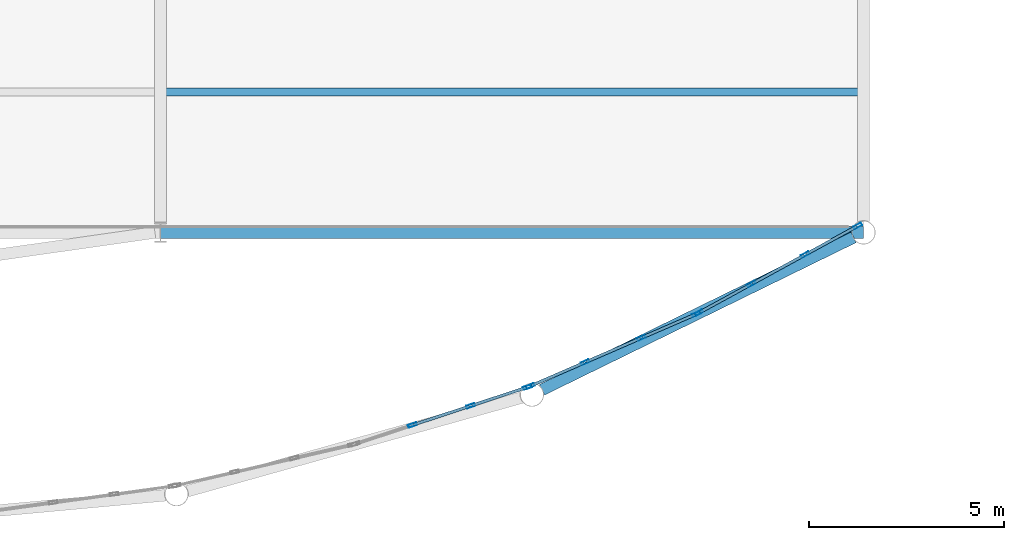
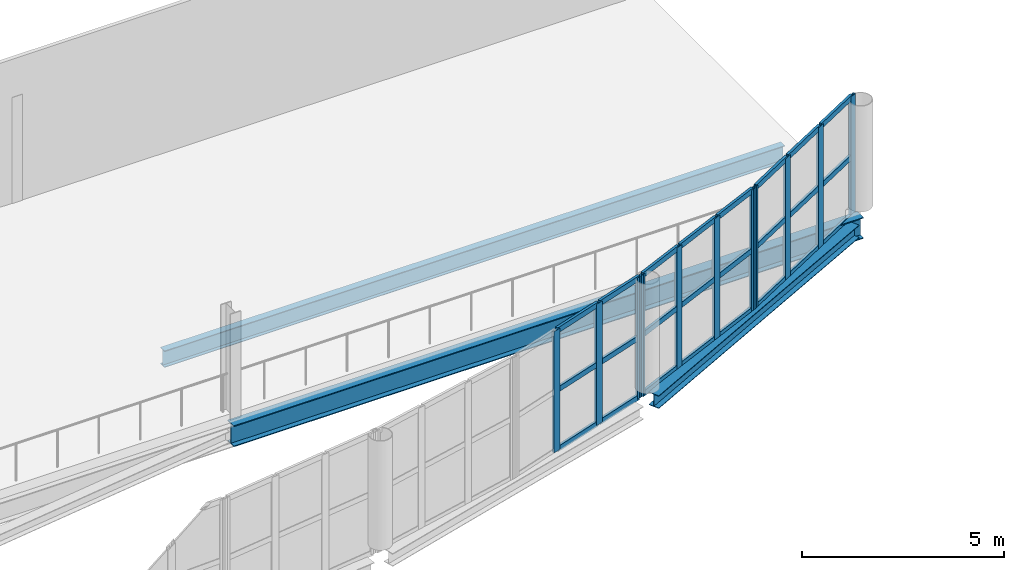
# One storey, part 33 of 134: 35 members, 3 beams, 3 elements without a shape of their own.
"""IFC4 building model written with IfcOpenShell, lengths in metres."""

from ifc_helpers import new_model, si_unit, direction, frame, origin, origin_2d, place, context, subcontext, project, spatial, hollow_rectangle, i_section, extrude, material, layer, layer_set, material_profile, profile_set, type_object, element, aggregate, save


model = new_model("IFC4")

# Units and contexts
model_context = context("Model", 3, precision=1e-05, world=origin(), true_north=direction((0.0, 1.0)))
body_context = subcontext(model_context, "Body", "Model", "MODEL_VIEW")
ifc_project = project(units=[si_unit("LENGTHUNIT", "METRE"), si_unit("AREAUNIT", "SQUARE_METRE"), si_unit("VOLUMEUNIT", "CUBIC_METRE"), si_unit("PLANEANGLEUNIT", "RADIAN"), si_unit("MASSUNIT", "GRAM", prefix="KILO")], contexts=[model_context])

# Site, building, storey
site_placement = place(None, origin())
site = spatial("IfcSite", under=ifc_project, at=site_placement, CompositionType="ELEMENT")
building_placement = place(site_placement, origin())
building = spatial("IfcBuilding", under=site, at=building_placement, Name="Tamarisk Ironworks Central Station", CompositionType="ELEMENT")
storey_placement = place(building_placement, frame((0.0, 0.0, 12.60009765625)))
storey = spatial("IfcBuildingStorey", under=building, at=storey_placement, Name="L02", CompositionType="ELEMENT", Elevation=12.60009765625)

# Beams
ifc_material_1 = material(Name="Structural steel S355J2", Category="steel")
ifc_material_profile_1 = material_profile(ifc_material_1, i_section(OverallWidth=0.199951171875, OverallDepth=0.5, WebThickness=0.01025390625, FlangeThickness=0.01611328125, at=origin_2d()), Name="IPE 500")
ifc_profile_set_1 = profile_set([ifc_material_profile_1], Name="Structural steel S355J2")
beam_type_1 = type_object("IfcBeamType", Name="BM-B02", PredefinedType="BEAM", material=ifc_profile_set_1)
beam_1_placement = place(storey_placement, frame((90.135009765625, 14.39990234375, -0.530029296875), z_axis=(1.0, 0.0, 0.0), x_axis=(0.0, 1.0, 0.0)))
element("IfcBeam", 1, at=beam_1_placement, inside=storey, type_object=beam_type_1, Name="L02 secondary composite beam 0125", PredefinedType="BEAM", context=body_context, shape_type="SweptSolid", body=[
    extrude(i_section(OverallWidth=0.199951171875, OverallDepth=0.5, WebThickness=0.01025390625, FlangeThickness=0.01611328125, at=origin_2d()), origin(), (0.0, 0.0, 1.0), 17.72998046875),
])
ifc_material_profile_2 = material_profile(ifc_material_1, i_section(OverallWidth=0.300048828125, OverallDepth=0.639892578125, WebThickness=0.013427734375, FlangeThickness=0.02587890625, at=origin_2d()), Name="HEA 650")
ifc_profile_set_2 = profile_set([ifc_material_profile_2], Name="Structural steel S355J2")
beam_type_2 = type_object("IfcBeamType", Name="BM-G02", PredefinedType="BEAM", material=ifc_profile_set_2)
beam_2_placement = place(storey_placement, frame((90.00390625, 10.800048828125, -0.60009765625), z_axis=(1.0, 0.0, 0.0), x_axis=(0.0, 1.0, 0.0)))
element("IfcBeam", 2, at=beam_2_placement, inside=storey, type_object=beam_type_2, Name="L02 primary girder X-0302", PredefinedType="BEAM", context=body_context, shape_type="SweptSolid", body=[
    extrude(i_section(OverallWidth=0.300048828125, OverallDepth=0.639892578125, WebThickness=0.013427734375, FlangeThickness=0.02587890625, at=origin_2d()), origin(), (0.0, 0.0, 1.0), 17.9921875),
])
ifc_material_profile_3 = material_profile(ifc_material_1, i_section(OverallWidth=0.300048828125, OverallDepth=0.389892578125, WebThickness=0.010986328125, FlangeThickness=0.01904296875, at=origin_2d()), Name="HEA 400")
ifc_profile_set_3 = profile_set([ifc_material_profile_3], Name="Structural steel S355J2")
beam_type_3 = type_object("IfcBeamType", Name="BM-G07", PredefinedType="BEAM", material=ifc_profile_set_3)
beam_3_placement = place(storey_placement, frame((99.76708984375, 6.772705078125, -0.5751953125), z_axis=(0.898280916505, 0.439421659734, 0.0), x_axis=(-0.439421659734, 0.898280916505, 0.0)))
element("IfcBeam", 3, at=beam_3_placement, inside=storey, type_object=beam_type_3, Name="SN rounded nose L02 chord girder 012", PredefinedType="BEAM", context=body_context, shape_type="SweptSolid", body=[
    extrude(i_section(OverallWidth=0.300048828125, OverallDepth=0.389892578125, WebThickness=0.010986328125, FlangeThickness=0.01904296875, at=origin_2d()), origin(), (0.0, 0.0, 1.0), 8.880126953125),
])

# Curtain wall, members
ifc_material_2 = material(Name="Anodized aluminium alloy 6063-T6", Category="aluminium")
ifc_layer = layer(ifc_material_2, 0.179931640625)
ifc_layer_set = layer_set([ifc_layer], Name="Anodized aluminium alloy 6063-T6")
curtain_wall_type = type_object("IfcCurtainWallType", Name="CW-03", PredefinedType="USERDEFINED", material=ifc_layer_set)
curtain_wall_1_placement = place(storey_placement, origin())
curtain_wall_1 = element("IfcCurtainWall", 4, at=curtain_wall_1_placement, inside=storey, type_object=curtain_wall_type, Name="SN rounded entrance hall L02 curtain wall bay 10", ObjectType="GLAZED CURTAIN WALL", PredefinedType="USERDEFINED")
ifc_material_profile_4 = material_profile(ifc_material_2, hollow_rectangle(XDim=0.074951171875, YDim=0.219970703125, WallThickness=0.00390625, at=origin_2d()), Name="ALUM 220x75")
ifc_profile_set_4 = profile_set([ifc_material_profile_4], Name="Anodized aluminium alloy 6063-T6")
member_type_1 = type_object("IfcMemberType", Name="CWM-01", PredefinedType="MULLION", material=ifc_profile_set_4)
member_1_placement = place(storey_placement, frame((96.449951171875, 5.86962890625, -0.385009765625), z_axis=(0.0, 0.0, 1.0), x_axis=(-0.313098460171, 0.949720671692, 0.0)))
member_1 = element("IfcMember", 5, at=member_1_placement, type_object=member_type_1, Name="CW03 mullion 2", PredefinedType="MULLION", context=body_context, shape_type="SweptSolid", body=[
    extrude(hollow_rectangle(XDim=0.074951171875, YDim=0.219970703125, WallThickness=0.00390625, at=origin_2d()), origin(), (0.0, 0.0, 1.0), 3.664794921875),
])
member_2_placement = place(storey_placement, frame((97.94091796875, 6.361083984375, -0.385009765625), z_axis=(0.0, 0.0, 1.0), x_axis=(-0.313098460171, 0.949720671692, 0.0)))
member_2 = element("IfcMember", 6, at=member_2_placement, type_object=member_type_1, Name="CW03 mullion 3", PredefinedType="MULLION", context=body_context, shape_type="SweptSolid", body=[
    extrude(hollow_rectangle(XDim=0.074951171875, YDim=0.219970703125, WallThickness=0.00390625, at=origin_2d()), origin(), (0.0, 0.0, 1.0), 3.664794921875),
])
member_3_placement = place(storey_placement, frame((99.396240234375, 6.8408203125, -0.385009765625), z_axis=(0.0, 0.0, 1.0), x_axis=(-0.313098460171, 0.949720671692, 0.0)))
member_3 = element("IfcMember", 7, at=member_3_placement, type_object=member_type_1, Name="CW03 mullion 4", PredefinedType="MULLION", context=body_context, shape_type="SweptSolid", body=[
    extrude(hollow_rectangle(XDim=0.074951171875, YDim=0.219970703125, WallThickness=0.00390625, at=origin_2d()), origin(), (0.0, 0.0, 1.0), 3.664794921875),
])

curtain_wall_2_placement = place(storey_placement, origin())
curtain_wall_2 = element("IfcCurtainWall", 8, at=curtain_wall_2_placement, inside=storey, type_object=curtain_wall_type, Name="SN rounded entrance hall L02 curtain wall bay 11", ObjectType="GLAZED CURTAIN WALL", PredefinedType="USERDEFINED")
member_4_placement = place(storey_placement, frame((99.46630859375, 6.867431640625, -0.385009765625), z_axis=(0.0, 0.0, 1.0), x_axis=(-0.398076935564, 0.917352033503, 0.0)))
member_4 = element("IfcMember", 9, at=member_4_placement, type_object=member_type_1, Name="CW03 mullion 1", PredefinedType="MULLION", context=body_context, shape_type="SweptSolid", body=[
    extrude(hollow_rectangle(XDim=0.074951171875, YDim=0.219970703125, WallThickness=0.00390625, at=origin_2d()), origin(), (0.0, 0.0, 1.0), 3.664794921875),
])
member_5_placement = place(storey_placement, frame((100.871826171875, 7.4775390625, -0.385009765625), z_axis=(0.0, 0.0, 1.0), x_axis=(-0.398076935564, 0.917352033503, 0.0)))
member_5 = element("IfcMember", 10, at=member_5_placement, type_object=member_type_1, Name="CW03 mullion 2", PredefinedType="MULLION", context=body_context, shape_type="SweptSolid", body=[
    extrude(hollow_rectangle(XDim=0.074951171875, YDim=0.219970703125, WallThickness=0.00390625, at=origin_2d()), origin(), (0.0, 0.0, 1.0), 3.664794921875),
])
member_6_placement = place(storey_placement, frame((102.31201171875, 8.1025390625, -0.385009765625), z_axis=(0.0, 0.0, 1.0), x_axis=(-0.398076935564, 0.917352033503, 0.0)))
member_6 = element("IfcMember", 11, at=member_6_placement, type_object=member_type_1, Name="CW03 mullion 3", PredefinedType="MULLION", context=body_context, shape_type="SweptSolid", body=[
    extrude(hollow_rectangle(XDim=0.074951171875, YDim=0.219970703125, WallThickness=0.00390625, at=origin_2d()), origin(), (0.0, 0.0, 1.0), 3.664794921875),
])
member_7_placement = place(storey_placement, frame((103.7177734375, 8.71240234375, -0.385009765625), z_axis=(0.0, 0.0, 1.0), x_axis=(-0.398076935564, 0.917352033503, 0.0)))
member_7 = element("IfcMember", 12, at=member_7_placement, type_object=member_type_1, Name="CW03 mullion 4", PredefinedType="MULLION", context=body_context, shape_type="SweptSolid", body=[
    extrude(hollow_rectangle(XDim=0.074951171875, YDim=0.219970703125, WallThickness=0.00390625, at=origin_2d()), origin(), (0.0, 0.0, 1.0), 3.664794921875),
])

curtain_wall_3_placement = place(storey_placement, origin())
curtain_wall_3 = element("IfcCurtainWall", 13, at=curtain_wall_3_placement, inside=storey, type_object=curtain_wall_type, Name="SN rounded entrance hall L02 curtain wall bay 12", ObjectType="GLAZED CURTAIN WALL", PredefinedType="USERDEFINED")
member_8_placement = place(storey_placement, frame((103.78515625, 8.745361328125, -0.385009765625), z_axis=(0.0, 0.0, 1.0), x_axis=(-0.47980544644, 0.877374910495, 0.0)))
member_8 = element("IfcMember", 14, at=member_8_placement, type_object=member_type_1, Name="CW03 mullion 1", PredefinedType="MULLION", context=body_context, shape_type="SweptSolid", body=[
    extrude(hollow_rectangle(XDim=0.074951171875, YDim=0.219970703125, WallThickness=0.00390625, at=origin_2d()), origin(), (0.0, 0.0, 1.0), 3.664794921875),
])
member_9_placement = place(storey_placement, frame((105.129638671875, 9.480712890625, -0.385009765625), z_axis=(0.0, 0.0, 1.0), x_axis=(-0.47980544644, 0.877374910495, 0.0)))
member_9 = element("IfcMember", 15, at=member_9_placement, type_object=member_type_1, Name="CW03 mullion 2", PredefinedType="MULLION", context=body_context, shape_type="SweptSolid", body=[
    extrude(hollow_rectangle(XDim=0.074951171875, YDim=0.219970703125, WallThickness=0.00390625, at=origin_2d()), origin(), (0.0, 0.0, 1.0), 3.664794921875),
])
member_10_placement = place(storey_placement, frame((106.5068359375, 10.23388671875, -0.385009765625), z_axis=(0.0, 0.0, 1.0), x_axis=(-0.47980544644, 0.877374910495, 0.0)))
member_10 = element("IfcMember", 16, at=member_10_placement, type_object=member_type_1, Name="CW03 mullion 3", PredefinedType="MULLION", context=body_context, shape_type="SweptSolid", body=[
    extrude(hollow_rectangle(XDim=0.074951171875, YDim=0.219970703125, WallThickness=0.00390625, at=origin_2d()), origin(), (0.0, 0.0, 1.0), 3.664794921875),
])
member_11_placement = place(storey_placement, frame((107.851318359375, 10.968994140625, -0.385009765625), z_axis=(0.0, 0.0, 1.0), x_axis=(-0.47980544644, 0.877374910495, 0.0)))
member_11 = element("IfcMember", 17, at=member_11_placement, type_object=member_type_1, Name="CW03 mullion 4", PredefinedType="MULLION", context=body_context, shape_type="SweptSolid", body=[
    extrude(hollow_rectangle(XDim=0.074951171875, YDim=0.219970703125, WallThickness=0.00390625, at=origin_2d()), origin(), (0.0, 0.0, 1.0), 3.664794921875),
])

# Member
ifc_material_profile_5 = material_profile(ifc_material_2, hollow_rectangle(XDim=0.074951171875, YDim=0.159912109375, WallThickness=0.00390625, at=origin_2d()), Name="ALUM 160x75")
ifc_profile_set_5 = profile_set([ifc_material_profile_5], Name="Anodized aluminium alloy 6063-T6")
member_type_2 = type_object("IfcMemberType", Name="CWT-01", PredefinedType="USERDEFINED", material=ifc_profile_set_5)
member_12_placement = place(storey_placement, frame((96.481689453125, 5.880126953125, -0.34765625), z_axis=(0.94973399069, 0.313058056801, 0.0), x_axis=(-0.313058056801, 0.94973399069, 0.0)))
member_12 = element("IfcMember", 18, at=member_12_placement, type_object=member_type_2, Name="CW03 transom 2.1", ObjectType="TRANSOM", PredefinedType="USERDEFINED", context=body_context, shape_type="SweptSolid", body=[
    extrude(hollow_rectangle(XDim=0.074951171875, YDim=0.159912109375, WallThickness=0.00390625, at=origin_2d()), origin(), (0.0, 0.0, 1.0), 1.502685546875),
])

member_13_placement = place(storey_placement, frame((96.481689453125, 5.880126953125, 1.447509765625), z_axis=(0.94973399069, 0.313058056801, 0.0), x_axis=(-0.313058056801, 0.94973399069, 0.0)))
member_13 = element("IfcMember", 19, at=member_13_placement, type_object=member_type_2, Name="CW03 transom 2.2", ObjectType="TRANSOM", PredefinedType="USERDEFINED", context=body_context, shape_type="SweptSolid", body=[
    extrude(hollow_rectangle(XDim=0.074951171875, YDim=0.159912109375, WallThickness=0.00390625, at=origin_2d()), origin(), (0.0, 0.0, 1.0), 1.502685546875),
])

member_14_placement = place(storey_placement, frame((96.481689453125, 5.880126953125, 3.242431640625), z_axis=(0.94973399069, 0.313058056801, 0.0), x_axis=(-0.313058056801, 0.94973399069, 0.0)))
member_14 = element("IfcMember", 20, at=member_14_placement, type_object=member_type_2, Name="CW03 transom 2.3", ObjectType="TRANSOM", PredefinedType="USERDEFINED", context=body_context, shape_type="SweptSolid", body=[
    extrude(hollow_rectangle(XDim=0.074951171875, YDim=0.159912109375, WallThickness=0.00390625, at=origin_2d()), origin(), (0.0, 0.0, 1.0), 1.502685546875),
])

member_15_placement = place(storey_placement, frame((97.97265625, 6.37158203125, -0.34765625), z_axis=(0.949727770531, 0.313076926461, 0.0), x_axis=(-0.313076926461, 0.949727770531, 0.0)))
member_15 = element("IfcMember", 21, at=member_15_placement, type_object=member_type_2, Name="CW03 transom 3.1", ObjectType="TRANSOM", PredefinedType="USERDEFINED", context=body_context, shape_type="SweptSolid", body=[
    extrude(hollow_rectangle(XDim=0.074951171875, YDim=0.159912109375, WallThickness=0.00390625, at=origin_2d()), origin(), (0.0, 0.0, 1.0), 1.46533203125),
])

member_16_placement = place(storey_placement, frame((97.97265625, 6.37158203125, 1.447509765625), z_axis=(0.949727770531, 0.313076926461, 0.0), x_axis=(-0.313076926461, 0.949727770531, 0.0)))
member_16 = element("IfcMember", 22, at=member_16_placement, type_object=member_type_2, Name="CW03 transom 3.2", ObjectType="TRANSOM", PredefinedType="USERDEFINED", context=body_context, shape_type="SweptSolid", body=[
    extrude(hollow_rectangle(XDim=0.074951171875, YDim=0.159912109375, WallThickness=0.00390625, at=origin_2d()), origin(), (0.0, 0.0, 1.0), 1.46533203125),
])

member_17_placement = place(storey_placement, frame((97.97265625, 6.37158203125, 3.242431640625), z_axis=(0.949727770531, 0.313076926461, 0.0), x_axis=(-0.313076926461, 0.949727770531, 0.0)))
member_17 = element("IfcMember", 23, at=member_17_placement, type_object=member_type_2, Name="CW03 transom 3.3", ObjectType="TRANSOM", PredefinedType="USERDEFINED", context=body_context, shape_type="SweptSolid", body=[
    extrude(hollow_rectangle(XDim=0.074951171875, YDim=0.159912109375, WallThickness=0.00390625, at=origin_2d()), origin(), (0.0, 0.0, 1.0), 1.46533203125),
])

aggregate(curtain_wall_1, [member_1, member_2, member_3, member_12, member_13, member_14, member_15, member_16, member_17])

member_18_placement = place(storey_placement, frame((99.496826171875, 6.880859375, -0.34765625), z_axis=(0.917395508869, 0.397976733374, 0.0), x_axis=(-0.397976733374, 0.917395508869, 0.0)))
member_18 = element("IfcMember", 24, at=member_18_placement, type_object=member_type_2, Name="CW03 transom 1.1", ObjectType="TRANSOM", PredefinedType="USERDEFINED", context=body_context, shape_type="SweptSolid", body=[
    extrude(hollow_rectangle(XDim=0.074951171875, YDim=0.159912109375, WallThickness=0.00390625, at=origin_2d()), origin(), (0.0, 0.0, 1.0), 1.465576171875),
])

member_19_placement = place(storey_placement, frame((99.496826171875, 6.880859375, 1.447509765625), z_axis=(0.917395508869, 0.397976733374, 0.0), x_axis=(-0.397976733374, 0.917395508869, 0.0)))
member_19 = element("IfcMember", 25, at=member_19_placement, type_object=member_type_2, Name="CW03 transom 1.2", ObjectType="TRANSOM", PredefinedType="USERDEFINED", context=body_context, shape_type="SweptSolid", body=[
    extrude(hollow_rectangle(XDim=0.074951171875, YDim=0.159912109375, WallThickness=0.00390625, at=origin_2d()), origin(), (0.0, 0.0, 1.0), 1.465576171875),
])

member_20_placement = place(storey_placement, frame((99.496826171875, 6.880859375, 3.242431640625), z_axis=(0.917395508869, 0.397976733374, 0.0), x_axis=(-0.397976733374, 0.917395508869, 0.0)))
member_20 = element("IfcMember", 26, at=member_20_placement, type_object=member_type_2, Name="CW03 transom 1.3", ObjectType="TRANSOM", PredefinedType="USERDEFINED", context=body_context, shape_type="SweptSolid", body=[
    extrude(hollow_rectangle(XDim=0.074951171875, YDim=0.159912109375, WallThickness=0.00390625, at=origin_2d()), origin(), (0.0, 0.0, 1.0), 1.465576171875),
])

member_21_placement = place(storey_placement, frame((100.902587890625, 7.490966796875, -0.34765625), z_axis=(0.917379708016, 0.398013154708, 0.0), x_axis=(-0.398013154708, 0.917379708016, 0.0)))
member_21 = element("IfcMember", 27, at=member_21_placement, type_object=member_type_2, Name="CW03 transom 2.1", ObjectType="TRANSOM", PredefinedType="USERDEFINED", context=body_context, shape_type="SweptSolid", body=[
    extrude(hollow_rectangle(XDim=0.074951171875, YDim=0.159912109375, WallThickness=0.00390625, at=origin_2d()), origin(), (0.0, 0.0, 1.0), 1.5029296875),
])

member_22_placement = place(storey_placement, frame((100.902587890625, 7.490966796875, 1.447509765625), z_axis=(0.917379708016, 0.398013154708, 0.0), x_axis=(-0.398013154708, 0.917379708016, 0.0)))
member_22 = element("IfcMember", 28, at=member_22_placement, type_object=member_type_2, Name="CW03 transom 2.2", ObjectType="TRANSOM", PredefinedType="USERDEFINED", context=body_context, shape_type="SweptSolid", body=[
    extrude(hollow_rectangle(XDim=0.074951171875, YDim=0.159912109375, WallThickness=0.00390625, at=origin_2d()), origin(), (0.0, 0.0, 1.0), 1.5029296875),
])

member_23_placement = place(storey_placement, frame((100.902587890625, 7.490966796875, 3.242431640625), z_axis=(0.917379708016, 0.398013154708, 0.0), x_axis=(-0.398013154708, 0.917379708016, 0.0)))
member_23 = element("IfcMember", 29, at=member_23_placement, type_object=member_type_2, Name="CW03 transom 2.3", ObjectType="TRANSOM", PredefinedType="USERDEFINED", context=body_context, shape_type="SweptSolid", body=[
    extrude(hollow_rectangle(XDim=0.074951171875, YDim=0.159912109375, WallThickness=0.00390625, at=origin_2d()), origin(), (0.0, 0.0, 1.0), 1.5029296875),
])

member_24_placement = place(storey_placement, frame((102.3427734375, 8.11572265625, -0.34765625), z_axis=(0.917308272991, 0.398177764702, 0.0), x_axis=(-0.398177764702, 0.917308272991, 0.0)))
member_24 = element("IfcMember", 30, at=member_24_placement, type_object=member_type_2, Name="CW03 transom 3.1", ObjectType="TRANSOM", PredefinedType="USERDEFINED", context=body_context, shape_type="SweptSolid", body=[
    extrude(hollow_rectangle(XDim=0.074951171875, YDim=0.159912109375, WallThickness=0.00390625, at=origin_2d()), origin(), (0.0, 0.0, 1.0), 1.46533203125),
])

member_25_placement = place(storey_placement, frame((102.3427734375, 8.11572265625, 1.447509765625), z_axis=(0.917308272991, 0.398177764702, 0.0), x_axis=(-0.398177764702, 0.917308272991, 0.0)))
member_25 = element("IfcMember", 31, at=member_25_placement, type_object=member_type_2, Name="CW03 transom 3.2", ObjectType="TRANSOM", PredefinedType="USERDEFINED", context=body_context, shape_type="SweptSolid", body=[
    extrude(hollow_rectangle(XDim=0.074951171875, YDim=0.159912109375, WallThickness=0.00390625, at=origin_2d()), origin(), (0.0, 0.0, 1.0), 1.46533203125),
])

member_26_placement = place(storey_placement, frame((102.3427734375, 8.11572265625, 3.242431640625), z_axis=(0.917308272991, 0.398177764702, 0.0), x_axis=(-0.398177764702, 0.917308272991, 0.0)))
member_26 = element("IfcMember", 32, at=member_26_placement, type_object=member_type_2, Name="CW03 transom 3.3", ObjectType="TRANSOM", PredefinedType="USERDEFINED", context=body_context, shape_type="SweptSolid", body=[
    extrude(hollow_rectangle(XDim=0.074951171875, YDim=0.159912109375, WallThickness=0.00390625, at=origin_2d()), origin(), (0.0, 0.0, 1.0), 1.46533203125),
])

aggregate(curtain_wall_2, [member_4, member_5, member_6, member_7, member_18, member_19, member_20, member_21, member_22, member_23, member_24, member_25, member_26])

member_27_placement = place(storey_placement, frame((103.814453125, 8.761474609375, -0.34765625), z_axis=(0.8773601803, 0.479832381174, 0.0), x_axis=(-0.479832381174, 0.8773601803, 0.0)))
member_27 = element("IfcMember", 33, at=member_27_placement, type_object=member_type_2, Name="CW03 transom 1.1", ObjectType="TRANSOM", PredefinedType="USERDEFINED", context=body_context, shape_type="SweptSolid", body=[
    extrude(hollow_rectangle(XDim=0.074951171875, YDim=0.159912109375, WallThickness=0.00390625, at=origin_2d()), origin(), (0.0, 0.0, 1.0), 1.46533203125),
])

member_28_placement = place(storey_placement, frame((103.814453125, 8.761474609375, 1.447509765625), z_axis=(0.8773601803, 0.479832381174, 0.0), x_axis=(-0.479832381174, 0.8773601803, 0.0)))
member_28 = element("IfcMember", 34, at=member_28_placement, type_object=member_type_2, Name="CW03 transom 1.2", ObjectType="TRANSOM", PredefinedType="USERDEFINED", context=body_context, shape_type="SweptSolid", body=[
    extrude(hollow_rectangle(XDim=0.074951171875, YDim=0.159912109375, WallThickness=0.00390625, at=origin_2d()), origin(), (0.0, 0.0, 1.0), 1.46533203125),
])

member_29_placement = place(storey_placement, frame((103.814453125, 8.761474609375, 3.242431640625), z_axis=(0.8773601803, 0.479832381174, 0.0), x_axis=(-0.479832381174, 0.8773601803, 0.0)))
member_29 = element("IfcMember", 35, at=member_29_placement, type_object=member_type_2, Name="CW03 transom 1.3", ObjectType="TRANSOM", PredefinedType="USERDEFINED", context=body_context, shape_type="SweptSolid", body=[
    extrude(hollow_rectangle(XDim=0.074951171875, YDim=0.159912109375, WallThickness=0.00390625, at=origin_2d()), origin(), (0.0, 0.0, 1.0), 1.46533203125),
])

member_30_placement = place(storey_placement, frame((105.158935546875, 9.496826171875, -0.34765625), z_axis=(0.877417084433, 0.479728318891, 0.0), x_axis=(-0.479728318891, 0.877417084433, 0.0)))
member_30 = element("IfcMember", 36, at=member_30_placement, type_object=member_type_2, Name="CW03 transom 2.1", ObjectType="TRANSOM", PredefinedType="USERDEFINED", context=body_context, shape_type="SweptSolid", body=[
    extrude(hollow_rectangle(XDim=0.074951171875, YDim=0.159912109375, WallThickness=0.00390625, at=origin_2d()), origin(), (0.0, 0.0, 1.0), 1.5029296875),
])

member_31_placement = place(storey_placement, frame((105.158935546875, 9.496826171875, 1.447509765625), z_axis=(0.877417084433, 0.479728318891, 0.0), x_axis=(-0.479728318891, 0.877417084433, 0.0)))
member_31 = element("IfcMember", 37, at=member_31_placement, type_object=member_type_2, Name="CW03 transom 2.2", ObjectType="TRANSOM", PredefinedType="USERDEFINED", context=body_context, shape_type="SweptSolid", body=[
    extrude(hollow_rectangle(XDim=0.074951171875, YDim=0.159912109375, WallThickness=0.00390625, at=origin_2d()), origin(), (0.0, 0.0, 1.0), 1.5029296875),
])

member_32_placement = place(storey_placement, frame((105.158935546875, 9.496826171875, 3.242431640625), z_axis=(0.877417084433, 0.479728318891, 0.0), x_axis=(-0.479728318891, 0.877417084433, 0.0)))
member_32 = element("IfcMember", 38, at=member_32_placement, type_object=member_type_2, Name="CW03 transom 2.3", ObjectType="TRANSOM", PredefinedType="USERDEFINED", context=body_context, shape_type="SweptSolid", body=[
    extrude(hollow_rectangle(XDim=0.074951171875, YDim=0.159912109375, WallThickness=0.00390625, at=origin_2d()), origin(), (0.0, 0.0, 1.0), 1.5029296875),
])

member_33_placement = place(storey_placement, frame((106.536376953125, 10.25, -0.34765625), z_axis=(0.8773601803, 0.479832381174, 0.0), x_axis=(-0.479832381174, 0.8773601803, 0.0)))
member_33 = element("IfcMember", 39, at=member_33_placement, type_object=member_type_2, Name="CW03 transom 3.1", ObjectType="TRANSOM", PredefinedType="USERDEFINED", context=body_context, shape_type="SweptSolid", body=[
    extrude(hollow_rectangle(XDim=0.074951171875, YDim=0.159912109375, WallThickness=0.00390625, at=origin_2d()), origin(), (0.0, 0.0, 1.0), 1.46533203125),
])

member_34_placement = place(storey_placement, frame((106.536376953125, 10.25, 1.447509765625), z_axis=(0.8773601803, 0.479832381174, 0.0), x_axis=(-0.479832381174, 0.8773601803, 0.0)))
member_34 = element("IfcMember", 40, at=member_34_placement, type_object=member_type_2, Name="CW03 transom 3.2", ObjectType="TRANSOM", PredefinedType="USERDEFINED", context=body_context, shape_type="SweptSolid", body=[
    extrude(hollow_rectangle(XDim=0.074951171875, YDim=0.159912109375, WallThickness=0.00390625, at=origin_2d()), origin(), (0.0, 0.0, 1.0), 1.46533203125),
])

member_35_placement = place(storey_placement, frame((106.536376953125, 10.25, 3.242431640625), z_axis=(0.8773601803, 0.479832381174, 0.0), x_axis=(-0.479832381174, 0.8773601803, 0.0)))
member_35 = element("IfcMember", 41, at=member_35_placement, type_object=member_type_2, Name="CW03 transom 3.3", ObjectType="TRANSOM", PredefinedType="USERDEFINED", context=body_context, shape_type="SweptSolid", body=[
    extrude(hollow_rectangle(XDim=0.074951171875, YDim=0.159912109375, WallThickness=0.00390625, at=origin_2d()), origin(), (0.0, 0.0, 1.0), 1.46533203125),
])

aggregate(curtain_wall_3, [member_8, member_9, member_10, member_11, member_27, member_28, member_29, member_30, member_31, member_32, member_33, member_34, member_35])

save(model, "model.ifc")
